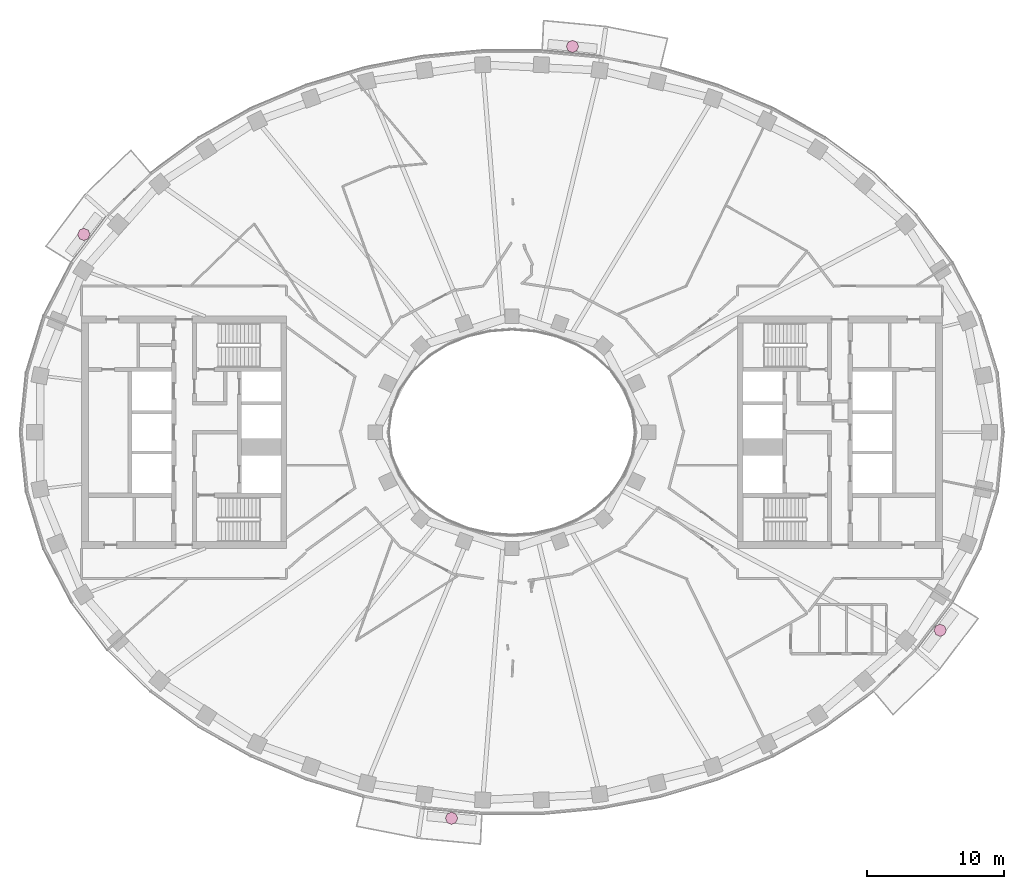
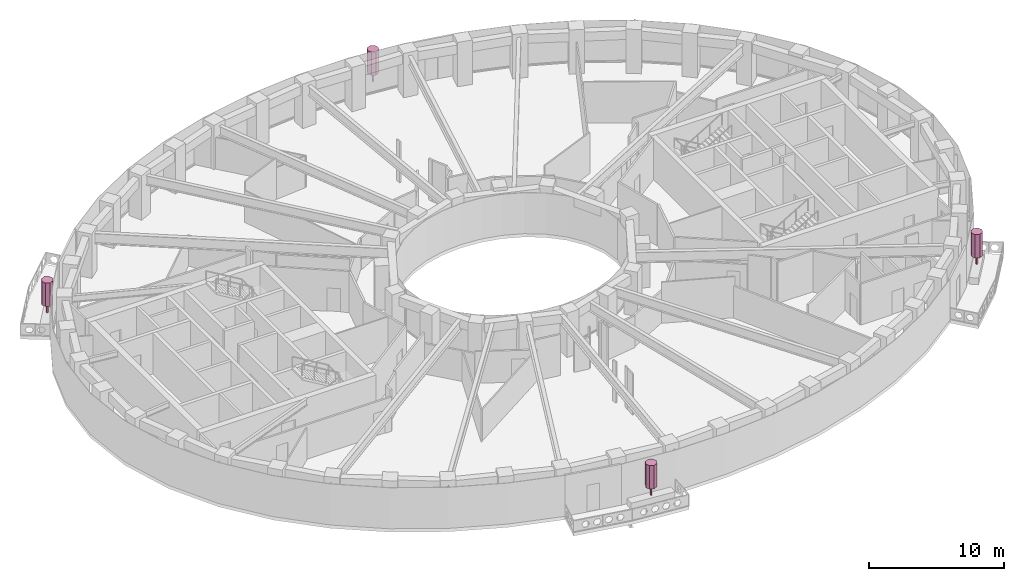
# One storey, part 17 of 17: 4 furnishings.
"""IFC4 building model written with IfcOpenShell, lengths in metres."""

from ifc_helpers import new_model, si_unit, direction, frame, origin, origin_2d, place, context, subcontext, project, spatial, polyline, rectangle, outline, extrude, material, type_object, element, save


model = new_model("IFC4")

# Units and contexts
model_context = context("Model", 3, precision=1e-05, world=origin(), true_north=direction((0.0, 1.0)))
body_context = subcontext(model_context, "Body", "Model", "MODEL_VIEW")
ifc_project = project(units=[si_unit("LENGTHUNIT", "METRE"), si_unit("AREAUNIT", "SQUARE_METRE"), si_unit("VOLUMEUNIT", "CUBIC_METRE"), si_unit("PLANEANGLEUNIT", "RADIAN"), si_unit("MASSUNIT", "GRAM", prefix="KILO")], contexts=[model_context])

# Site, building, storey
site_placement = place(None, origin())
site = spatial("IfcSite", under=ifc_project, at=site_placement, CompositionType="ELEMENT")
building_placement = place(site_placement, origin())
building = spatial("IfcBuilding", under=site, at=building_placement, Name="Noorbagh Ring Tower", CompositionType="ELEMENT")
storey_placement = place(building_placement, frame((0.0, 0.0, 190.0)))
storey = spatial("IfcBuildingStorey", under=building, at=storey_placement, Name="L44", CompositionType="ELEMENT", Elevation=190.0)

# Furnishings
ifc_material = material(Name="Planting foliage green")
furnishing_element_type = type_object("IfcFurnishingElementType", Name="ENV-TREE", material=ifc_material)
for number, where, z_axis, x_axis, name in (
    (1, (4.423828125, 28.2373046875, 0.60009765625), (0.0, 0.0, 1.0), (1.0, 0.0, 0.0), "Tree BN03"),
    (2, (-31.329833984375, 14.4833984375, 0.60009765625), (0.0, 0.0, 1.0), (1.0, 0.0, 0.0), "Tree BN06"),
    (3, (-4.423828125, -28.2373046875, 0.60009765625), (0.0, 0.0, 1.0), (1.0, 0.0, 0.0), "Tree BS03"),
    (4, (31.329833984375, -14.4833984375, 0.60009765625), (0.0, 0.0, 1.0), (1.0, 0.0, 0.0), "Tree BS06"),
):
    element("IfcFurnishingElement", number, at=place(storey_placement, frame(where, z_axis=z_axis, x_axis=x_axis)), inside=storey, type_object=furnishing_element_type, Name=name, context=body_context, shape_type="SweptSolid", body=[
        extrude(rectangle(XDim=0.1201171875, YDim=0.1201171875, at=origin_2d()), origin(), (0.0, 0.0, 1.0), 0.825927734375),
        extrude(outline(polyline([(0.449951171875, 0.0), (0.318115234375, 0.318115234375), (0.0, 0.449951171875), (-0.318115234375, 0.318115234375), (-0.449951171875, 0.0), (-0.318115234375, -0.318115234375), (0.0, -0.449951171875), (0.318115234375, -0.318115234375), (0.449951171875, 0.0)])), frame((0.0, 0.0, 0.825927734375)), (0.0, 0.0, 1.0), 2.1240234375),
    ])

save(model, "model.ifc")
